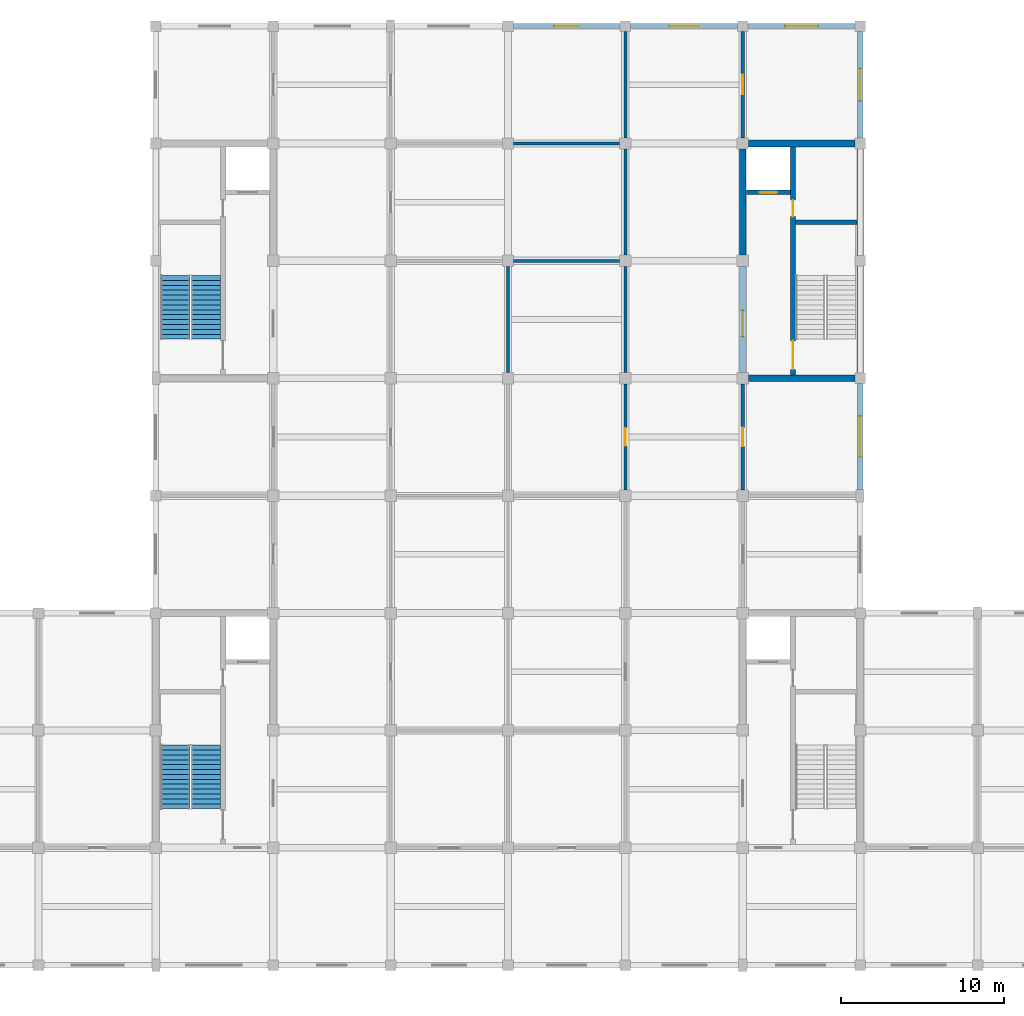
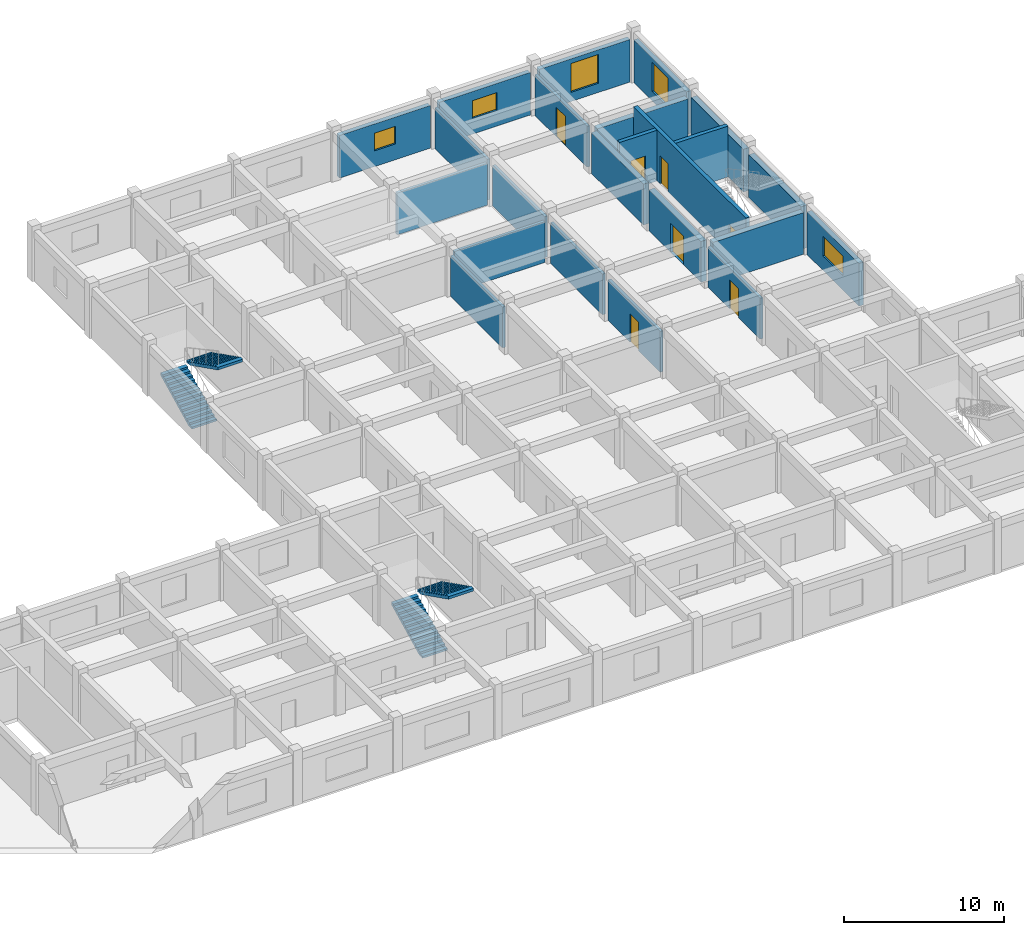
# One storey, part 8 of 10: 23 walls, 7 doors, 5 windows, 4 stair flights, 12 openings, 2 elements without a shape of their own.
"""IFC4 building model written with IfcOpenShell, lengths in metres."""

import ifcopenshell
import ifcopenshell.guid

model = None  # the IFC model being written
_history = None  # IfcOwnerHistory: only IFC2X3 demands one
_inside = {}  # id of a spatial element -> (the spatial element, [elements in it])
_under = {}  # id of a project, library or spatial element -> (it, [spatial elements below it])
_declared = {}  # id of a project -> (the project, [libraries it declares])
_typed = {}  # id of a type object -> (the type object, [elements of that type])
_made_of = {}  # id of a material, layer set ... -> (it, [elements and type objects made of it])


def new_model(schema):
    """Start an empty IFC model of exactly this schema.

    Asked for "IFC4X3", IfcOpenShell would pick the latest addendum, in which some entities
    have other attributes; the version numbers below select the first issue.
    IFC2X3 requires an IfcOwnerHistory on every rooted entity: one is made here for all.
    """
    global model, _history
    if schema == "IFC4X3":
        model = ifcopenshell.file(schema_version=(4, 3, 0, 0))
    else:
        model = ifcopenshell.file(schema=schema)
    _inside.clear()
    _under.clear()
    _declared.clear()
    _typed.clear()
    _made_of.clear()
    _history = None
    if model.schema == "IFC2X3":
        org = make("IfcOrganization", Name="unknown")
        user = make(
            "IfcPersonAndOrganization",
            ThePerson=make("IfcPerson", FamilyName="unknown"),
            TheOrganization=org,
        )
        app = make(
            "IfcApplication",
            ApplicationDeveloper=org,
            Version="unknown",
            ApplicationFullName="unknown",
            ApplicationIdentifier="unknown",
        )
        _history = make(
            "IfcOwnerHistory",
            OwningUser=user,
            OwningApplication=app,
            ChangeAction="ADDED",
            CreationDate=0,
        )
    return model


def make(cls, **values):
    """One entity of the class cls with the attributes given. An attribute that is None is left unset."""
    return model.create_entity(
        cls, **{name: value for name, value in values.items() if value is not None}
    )


def rooted(cls, **values):
    """An entity with a GlobalId (a new one), such as an element, a storey or a relation."""
    return make(cls, GlobalId=ifcopenshell.guid.new(), OwnerHistory=_history, **values)


def si_unit(unit_type, name, prefix=None):
    """IfcSIUnit, for example si_unit("LENGTHUNIT", "METRE", prefix="MILLI")."""
    return make("IfcSIUnit", UnitType=unit_type, Prefix=prefix, Name=name)


def assignment(units):
    """IfcUnitAssignment: the units of a project."""
    return None if units is None else make("IfcUnitAssignment", Units=units)


def point(xyz):
    """IfcCartesianPoint."""
    return None if xyz is None else make("IfcCartesianPoint", Coordinates=xyz)


def direction(xyz):
    """IfcDirection."""
    return None if xyz is None else make("IfcDirection", DirectionRatios=xyz)


def frame(location, z_axis=None, x_axis=None):
    """IfcAxis2Placement3D, a coordinate frame: its origin and axes. An axis left out is left unset."""
    return make(
        "IfcAxis2Placement3D",
        Location=point(location),
        Axis=direction(z_axis),
        RefDirection=direction(x_axis),
    )


def frame_2d(location, x_axis=None):
    """IfcAxis2Placement2D, a coordinate frame in the plane: its origin and x axis."""
    return make(
        "IfcAxis2Placement2D", Location=point(location), RefDirection=direction(x_axis)
    )


def origin():
    """The frame at (0, 0, 0) with its axes left unset."""
    return frame((0.0, 0.0, 0.0))


def place(relative_to, where):
    """IfcLocalPlacement: puts the frame where relative to a parent placement (None: the world)."""
    return make(
        "IfcLocalPlacement", PlacementRelTo=relative_to, RelativePlacement=where
    )


def context(
    kind, dimensions, precision=None, world=None, true_north=None, identifier=None
):
    """IfcGeometricRepresentationContext, for example the 3D "Model" context."""
    return make(
        "IfcGeometricRepresentationContext",
        ContextIdentifier=identifier,
        ContextType=kind,
        CoordinateSpaceDimension=dimensions,
        Precision=precision,
        WorldCoordinateSystem=world,
        TrueNorth=true_north,
    )


def subcontext(parent, identifier, kind, view, scale=None):
    """IfcGeometricRepresentationSubContext, for example "Body" below "Model"."""
    return make(
        "IfcGeometricRepresentationSubContext",
        ContextIdentifier=identifier,
        ContextType=kind,
        ParentContext=parent,
        TargetScale=scale,
        TargetView=view,
    )


def project(units=None, contexts=None):
    """IfcProject with its units and contexts."""
    return rooted(
        "IfcProject",
        Name="project",
        RepresentationContexts=contexts,
        UnitsInContext=assignment(units),
    )


def spatial(cls, under=None, at=None, **own):
    """A site, building, storey or space (cls), placed at a placement, below another one or the project."""
    s = rooted(cls, ObjectPlacement=at, **own)
    if under is not None:
        _under.setdefault(under.id(), (under, []))[1].append(s)
    return s


def polyline(points):
    """IfcPolyline through the points."""
    return make("IfcPolyline", Points=[point(p) for p in points])


def profile(cls, at=None, kind="AREA", **sizes):
    """A parametric profile (cls). Its sizes go by their IFC names, for example OverallWidth=200.0."""
    return make(cls, ProfileType=kind, Position=at, **sizes)


def rectangle(**sizes):
    """IfcRectangleProfileDef."""
    return profile("IfcRectangleProfileDef", **sizes)


def outline(outer, holes=None, kind="AREA"):
    """IfcArbitraryClosedProfileDef: a profile drawn as a closed curve; with holes, ...WithVoids."""
    if holes is None:
        return make("IfcArbitraryClosedProfileDef", ProfileType=kind, OuterCurve=outer)
    return make(
        "IfcArbitraryProfileDefWithVoids",
        ProfileType=kind,
        OuterCurve=outer,
        InnerCurves=holes,
    )


def extrude(swept, where, along, depth):
    """IfcExtrudedAreaSolid: the profile swept, set in the frame where, extruded along a direction by depth."""
    return make(
        "IfcExtrudedAreaSolid",
        SweptArea=swept,
        Position=where,
        ExtrudedDirection=direction(along),
        Depth=depth,
    )


def shape(context_of_items, identifier, shape_type, items):
    """IfcShapeRepresentation: the items that make up one representation, for example the "Body"."""
    return make(
        "IfcShapeRepresentation",
        ContextOfItems=context_of_items,
        RepresentationIdentifier=identifier,
        RepresentationType=shape_type,
        Items=items,
    )


def material(Name=None, Category=None):
    """IfcMaterial."""
    return make("IfcMaterial", Name=Name, Category=Category)


def layer(
    of_material, thickness, ventilated=None, Name=None, Category=None, Priority=None
):
    """IfcMaterialLayer: one layer of a wall or slab, of a material (None: an air gap)."""
    return make(
        "IfcMaterialLayer",
        Material=of_material,
        LayerThickness=thickness,
        IsVentilated=ventilated,
        Name=Name,
        Category=Category,
        Priority=Priority,
    )


def layer_set(layers, Name=None):
    """IfcMaterialLayerSet."""
    return make("IfcMaterialLayerSet", MaterialLayers=layers, LayerSetName=Name)


def made_of(thing, what):
    """Note that an element or type object is made of a material, layer set ...; save() writes the relation."""
    if what is not None:
        _made_of.setdefault(what.id(), (what, []))[1].append(thing)
    return thing


def type_object(cls, material=None, **own):
    """A type object (cls), such as IfcWallType, which elements share."""
    return made_of(rooted(cls, **own), material)


def element(
    cls,
    number,
    at=None,
    inside=None,
    cuts=None,
    type_object=None,
    material=None,
    context=None,
    identifier="Body",
    shape_type=None,
    held_by="IfcProductDefinitionShape",
    body=None,
    shapes=None,
    **own,
):
    """One element of the class cls, such as IfcWall. Its Tag is "e" and its number.

    at: its placement. inside: the storey or other place that contains it. cuts: it is an
    opening in that element (IfcRelVoidsElement). A single representation is given by context,
    identifier, shape_type and body (its items); several are given by shapes. held_by: the class
    of the entity that holds the representations. save() writes the other relations.
    """
    e = rooted(cls, Tag="e%d" % number, ObjectPlacement=at, **own)
    if body is not None:
        shapes = [shape(context, identifier, shape_type, body)]
    if shapes is not None:
        e.Representation = make(held_by, Representations=shapes)
    if inside is not None:
        _inside.setdefault(inside.id(), (inside, []))[1].append(e)
    if cuts is not None:
        rooted(
            "IfcRelVoidsElement", RelatingBuildingElement=cuts, RelatedOpeningElement=e
        )
    if type_object is not None:
        _typed.setdefault(type_object.id(), (type_object, []))[1].append(e)
    return made_of(e, material)


def fill(opening, filler):
    """IfcRelFillsElement: the door or window that sits in an opening."""
    return rooted(
        "IfcRelFillsElement",
        RelatingOpeningElement=opening,
        RelatedBuildingElement=filler,
    )


def aggregate(whole, parts):
    """IfcRelAggregates: a whole, such as a stair, and the parts it consists of."""
    return rooted("IfcRelAggregates", RelatingObject=whole, RelatedObjects=parts)


def save(model, path):
    """Write the relations noted so far, then the file.

    IfcRelAggregates (storeys below a building ...), IfcRelContainedInSpatialStructure (elements
    in a storey), IfcRelDefinesByType, IfcRelAssociatesMaterial and IfcRelDeclares: one each for
    every whole, place, type object, material and project.
    """
    for whole, parts in _under.values():
        aggregate(whole, parts)
    for where, things in _inside.values():
        rooted(
            "IfcRelContainedInSpatialStructure",
            RelatedElements=things,
            RelatingStructure=where,
        )
    for kind, things in _typed.values():
        rooted("IfcRelDefinesByType", RelatedObjects=things, RelatingType=kind)
    for what, things in _made_of.values():
        rooted("IfcRelAssociatesMaterial", RelatedObjects=things, RelatingMaterial=what)
    for by, libraries in _declared.values():
        rooted("IfcRelDeclares", RelatingContext=by, RelatedDefinitions=libraries)
    model.write(path)


model = new_model("IFC4")

# Units and contexts
model_context = context("Model", 3, precision=1e-05, world=origin(), true_north=direction((0.0, 1.0)))
body_context = subcontext(model_context, "Body", "Model", "MODEL_VIEW")
ifc_project = project(units=[si_unit("LENGTHUNIT", "METRE"), si_unit("AREAUNIT", "SQUARE_METRE"), si_unit("VOLUMEUNIT", "CUBIC_METRE"), si_unit("PLANEANGLEUNIT", "RADIAN"), si_unit("MASSUNIT", "GRAM", prefix="KILO")], contexts=[model_context])

# Site, building, storey
site_placement = place(None, origin())
site = spatial("IfcSite", under=ifc_project, at=site_placement, CompositionType="ELEMENT")
building_placement = place(site_placement, origin())
building = spatial("IfcBuilding", under=site, at=building_placement, Name="Cendaluz Park School", CompositionType="ELEMENT")
storey_placement = place(building_placement, frame((0.0, 0.0, 30.60009765625)))
storey = spatial("IfcBuildingStorey", under=building, at=storey_placement, Name="L07", CompositionType="ELEMENT", Elevation=30.60009765625)

# Walls
ifc_material_1 = material(Name="Gypsum Plasterboard on Cold-Formed Stud", Category="gypsum")
ifc_layer_1 = layer(ifc_material_1, 0.199951171875)
ifc_layer_set_1 = layer_set([ifc_layer_1], Name="Gypsum Plasterboard on Cold-Formed Stud")
wall_type_1 = type_object("IfcWallType", Name="W-AC20", PredefinedType="PARTITIONING", material=ifc_layer_set_1)
wall_1_placement = place(storey_placement, frame((86.75, 50.39990234375, 0.0), z_axis=(0.0, 0.0, 1.0), x_axis=(1.0, 0.0, 0.0)))
element("IfcWall", 1, at=wall_1_placement, inside=storey, type_object=wall_type_1, Name="WL-FH-BN1", PredefinedType="PARTITIONING", context=body_context, shape_type="SweptSolid", body=[
    extrude(rectangle(XDim=6.5, YDim=0.199951171875, at=frame_2d((3.25, 0.0))), origin(), (0.0, 0.0, 1.0), 3.10986328125),
])
wall_2_placement = place(storey_placement, frame((86.75, 57.60009765625, 0.0), z_axis=(0.0, 0.0, 1.0), x_axis=(1.0, 0.0, 0.0)))
element("IfcWall", 2, at=wall_2_placement, inside=storey, type_object=wall_type_1, Name="WL-FH-BN2", PredefinedType="PARTITIONING", context=body_context, shape_type="SweptSolid", body=[
    extrude(rectangle(XDim=6.5, YDim=0.199951171875, at=frame_2d((3.25, 0.0))), origin(), (0.0, 0.0, 1.0), 3.179931640625),
])
wall_3_placement = place(storey_placement, frame((93.60009765625, 50.75, 0.0), z_axis=(0.0, 0.0, 1.0), x_axis=(0.0, 1.0, 0.0)))
element("IfcWall", 3, at=wall_3_placement, inside=storey, type_object=wall_type_1, Name="WL-FH-BN3", PredefinedType="PARTITIONING", context=body_context, shape_type="SweptSolid", body=[
    extrude(rectangle(XDim=6.5, YDim=0.199951171875, at=frame_2d((3.25, 0.0))), origin(), (0.0, 0.0, 1.0), 3.10986328125),
])
wall_4_placement = place(storey_placement, frame((93.60009765625, 57.949951171875, 0.0), z_axis=(0.0, 0.0, 1.0), x_axis=(0.0, 1.0, 0.0)))
element("IfcWall", 4, at=wall_4_placement, inside=storey, type_object=wall_type_1, Name="WL-FH-BN5", PredefinedType="PARTITIONING", context=body_context, shape_type="SweptSolid", body=[
    extrude(rectangle(XDim=6.525146484375, YDim=0.199951171875, at=frame_2d((3.2626953125, 0.0))), origin(), (0.0, 0.0, 1.0), 3.10986328125),
])
wall_5_placement = place(storey_placement, frame((86.39990234375, 43.550048828125, 0.0), z_axis=(0.0, 0.0, 1.0), x_axis=(0.0, 1.0, 0.0)))
element("IfcWall", 5, at=wall_5_placement, inside=storey, type_object=wall_type_1, Name="WL-FH-BQ6", PredefinedType="PARTITIONING", context=body_context, shape_type="SweptSolid", body=[
    extrude(rectangle(XDim=6.5, YDim=0.199951171875, at=frame_2d((3.25, 0.0))), origin(), (0.0, 0.0, 1.0), 3.10986328125),
])

# Wall, opening, door
wall_6_placement = place(storey_placement, frame((93.60009765625, 36.35009765625, 0.0), z_axis=(0.0, 0.0, 1.0), x_axis=(0.0, 1.0, 0.0)))
wall_6 = element("IfcWall", 6, at=wall_6_placement, inside=storey, type_object=wall_type_1, Name="WL-FH-BR3", PredefinedType="PARTITIONING", context=body_context, shape_type="SweptSolid", body=[
    extrude(rectangle(XDim=6.5, YDim=0.199951171875, at=frame_2d((3.25, 0.0))), origin(), (0.0, 0.0, 1.0), 3.10986328125),
])
opening_1_placement = place(wall_6_placement, frame((2.7099609375, 0.0, 0.0)))
opening_1 = element("IfcOpeningElement", 7, at=opening_1_placement, cuts=wall_6, Name="Opening DCL-05", PredefinedType="OPENING", context=body_context, shape_type="SweptSolid", body=[
    extrude(rectangle(XDim=1.080078125, YDim=2.179931640625, at=frame_2d((0.5400390625, 1.08984375))), frame((0.0, 0.112060546875, 0.0), z_axis=(0.0, -1.0, 0.0), x_axis=(1.0, 0.0, 0.0)), (0.0, 0.0, 1.0), 0.223876953125),
])
ifc_material_2 = material(Name="Solid Core Hardwood", Category="wood")
door_type_1 = type_object("IfcDoorType", Name="DCL-05", OperationType="NOTDEFINED", PredefinedType="DOOR", material=ifc_material_2)
door_1_placement = place(opening_1_placement, origin())
door_1 = element("IfcDoor", 8, at=door_1_placement, inside=storey, type_object=door_type_1, Name="D-L07-045", OperationType="SINGLE_SWING_RIGHT", OverallHeight=2.179931640625, OverallWidth=1.080078125, PredefinedType="DOOR", context=body_context, shape_type="SweptSolid", body=[
    extrude(rectangle(XDim=1.080078125, YDim=2.179931640625, at=frame_2d((0.5400390625, 1.08984375))), frame((0.0, 0.02490234375, 0.0), z_axis=(0.0, -1.0, 0.0), x_axis=(1.0, 0.0, 0.0)), (0.0, 0.0, 1.0), 0.050048828125),
])
fill(opening_1, door_1)

# Wall
wall_7_placement = place(storey_placement, frame((93.60009765625, 43.550048828125, 0.0), z_axis=(0.0, 0.0, 1.0), x_axis=(0.0, 1.0, 0.0)))
element("IfcWall", 9, at=wall_7_placement, inside=storey, type_object=wall_type_1, Name="WL-FH-BR4", PredefinedType="PARTITIONING", context=body_context, shape_type="SweptSolid", body=[
    extrude(rectangle(XDim=6.5, YDim=0.199951171875, at=frame_2d((3.25, 0.0))), origin(), (0.0, 0.0, 1.0), 3.10986328125),
])

# Wall, opening, door
wall_8_placement = place(storey_placement, frame((100.800048828125, 36.35009765625, 0.0), z_axis=(0.0, 0.0, 1.0), x_axis=(0.0, 1.0, 0.0)))
wall_8 = element("IfcWall", 10, at=wall_8_placement, inside=storey, type_object=wall_type_1, Name="WL-FH-BR7", PredefinedType="PARTITIONING", context=body_context, shape_type="SweptSolid", body=[
    extrude(rectangle(XDim=6.5, YDim=0.199951171875, at=frame_2d((3.25, 0.0))), origin(), (0.0, 0.0, 1.0), 3.10986328125),
])
opening_2_placement = place(wall_8_placement, frame((2.669921875, 0.0, 0.0)))
opening_2 = element("IfcOpeningElement", 11, at=opening_2_placement, cuts=wall_8, Name="Opening DCL-07", PredefinedType="OPENING", context=body_context, shape_type="SweptSolid", body=[
    extrude(rectangle(XDim=1.159912109375, YDim=2.219970703125, at=frame_2d((0.580078125, 1.10986328125))), frame((0.0, 0.112060546875, 0.0), z_axis=(0.0, -1.0, 0.0), x_axis=(1.0, 0.0, 0.0)), (0.0, 0.0, 1.0), 0.223876953125),
])
door_type_2 = type_object("IfcDoorType", Name="DCL-07", OperationType="NOTDEFINED", PredefinedType="DOOR", material=ifc_material_2)
door_2_placement = place(opening_2_placement, frame((1.159912109375, 0.0, 0.0), z_axis=(0.0, 0.0, 1.0), x_axis=(-1.0, 0.0, 0.0)))
door_2 = element("IfcDoor", 12, at=door_2_placement, inside=storey, type_object=door_type_2, Name="D-L07-047", OperationType="SINGLE_SWING_RIGHT", OverallHeight=2.219970703125, OverallWidth=1.159912109375, PredefinedType="DOOR", context=body_context, shape_type="SweptSolid", body=[
    extrude(rectangle(XDim=1.159912109375, YDim=2.219970703125, at=frame_2d((0.580078125, 1.10986328125))), frame((0.0, 0.02490234375, 0.0), z_axis=(0.0, -1.0, 0.0), x_axis=(1.0, 0.0, 0.0)), (0.0, 0.0, 1.0), 0.050048828125),
])
fill(opening_2, door_2)

wall_9_placement = place(storey_placement, frame((100.800048828125, 57.949951171875, 0.0), z_axis=(0.0, 0.0, 1.0), x_axis=(0.0, 1.0, 0.0)))
wall_9 = element("IfcWall", 13, at=wall_9_placement, inside=storey, type_object=wall_type_1, Name="WL-FH-BR8", PredefinedType="PARTITIONING", context=body_context, shape_type="SweptSolid", body=[
    extrude(rectangle(XDim=6.525146484375, YDim=0.199951171875, at=frame_2d((3.2626953125, 0.0))), origin(), (0.0, 0.0, 1.0), 3.10986328125),
])
opening_3_placement = place(wall_9_placement, frame((2.66259765625, 0.0, 0.0)))
opening_3 = element("IfcOpeningElement", 14, at=opening_3_placement, cuts=wall_9, Name="Opening DCL-08", PredefinedType="OPENING", context=body_context, shape_type="SweptSolid", body=[
    extrude(rectangle(XDim=1.199951171875, YDim=2.239990234375, at=frame_2d((0.60009765625, 1.1201171875))), frame((0.0, 0.112060546875, 0.0), z_axis=(0.0, -1.0, 0.0), x_axis=(1.0, 0.0, 0.0)), (0.0, 0.0, 1.0), 0.223876953125),
])
door_type_3 = type_object("IfcDoorType", Name="DCL-08", OperationType="NOTDEFINED", PredefinedType="DOOR", material=ifc_material_2)
door_3_placement = place(opening_3_placement, frame((1.199951171875, 0.0, 0.0), z_axis=(0.0, 0.0, 1.0), x_axis=(-1.0, 0.0, 0.0)))
door_3 = element("IfcDoor", 15, at=door_3_placement, inside=storey, type_object=door_type_3, Name="D-L07-048", OperationType="SINGLE_SWING_LEFT", OverallHeight=2.239990234375, OverallWidth=1.199951171875, PredefinedType="DOOR", context=body_context, shape_type="SweptSolid", body=[
    extrude(rectangle(XDim=1.199951171875, YDim=2.239990234375, at=frame_2d((0.60009765625, 1.1201171875))), frame((0.0, 0.02490234375, 0.0), z_axis=(0.0, -1.0, 0.0), x_axis=(1.0, 0.0, 0.0)), (0.0, 0.0, 1.0), 0.050048828125),
])
fill(opening_3, door_3)

# Wall, opening, window
ifc_material_3 = material(Name="Concrete C40/50 precast", Category="concrete")
ifc_layer_2 = layer(ifc_material_3, 0.320068359375)
ifc_layer_set_2 = layer_set([ifc_layer_2], Name="Concrete C40/50 precast")
wall_type_2 = type_object("IfcWallType", Name="W-EX32", PredefinedType="SOLIDWALL", material=ifc_layer_set_2)
wall_10_placement = place(storey_placement, frame((86.72509765625, 64.800048828125, 0.0), z_axis=(0.0, 0.0, 1.0), x_axis=(1.0, 0.0, 0.0)))
wall_10 = element("IfcWall", 16, at=wall_10_placement, inside=storey, type_object=wall_type_2, Name="WL-FH-AB8", PredefinedType="SOLIDWALL", context=body_context, shape_type="SweptSolid", body=[
    extrude(rectangle(XDim=6.5498046875, YDim=0.320068359375, at=frame_2d((3.27490234375, 0.0))), origin(), (0.0, 0.0, 1.0), 3.25),
])
opening_4_placement = place(wall_10_placement, frame((2.52490234375, 0.0, 1.199951171875)))
opening_4 = element("IfcOpeningElement", 17, at=opening_4_placement, cuts=wall_10, Name="Opening WN-20", PredefinedType="OPENING", context=body_context, shape_type="SweptSolid", body=[
    extrude(rectangle(XDim=1.5, YDim=1.35009765625, at=frame_2d((0.75, 0.675048828125))), frame((0.0, 0.172119140625, 0.0), z_axis=(0.0, -1.0, 0.0), x_axis=(1.0, 0.0, 0.0)), (0.0, 0.0, 1.0), 0.343994140625),
])
ifc_material_4 = material(Name="Tempered Low-E Double Glazing", Category="glass")
window_type_1 = type_object("IfcWindowType", Name="WN-20", PartitioningType="SINGLE_PANEL", PredefinedType="WINDOW", material=ifc_material_4)
window_1_placement = place(opening_4_placement, origin())
window_1 = element("IfcWindow", 18, at=window_1_placement, inside=storey, type_object=window_type_1, Name="WN-L07-018", OverallHeight=1.35009765625, OverallWidth=1.5, PartitioningType="SINGLE_PANEL", PredefinedType="WINDOW", context=body_context, shape_type="SweptSolid", body=[
    extrude(rectangle(XDim=1.5, YDim=1.35009765625, at=frame_2d((0.75, 0.675048828125))), frame((0.0, 0.030029296875, 0.0), z_axis=(0.0, -1.0, 0.0), x_axis=(1.0, 0.0, 0.0)), (0.0, 0.0, 1.0), 0.06005859375),
])
fill(opening_4, window_1)

wall_11_placement = place(storey_placement, frame((93.925048828125, 64.800048828125, 0.0), z_axis=(0.0, 0.0, 1.0), x_axis=(1.0, 0.0, 0.0)))
wall_11 = element("IfcWall", 19, at=wall_11_placement, inside=storey, type_object=wall_type_2, Name="WL-FH-AC0", PredefinedType="SOLIDWALL", context=body_context, shape_type="SweptSolid", body=[
    extrude(rectangle(XDim=6.550048828125, YDim=0.320068359375, at=frame_2d((3.27490234375, 0.0))), origin(), (0.0, 0.0, 1.0), 3.25),
])
opening_5_placement = place(wall_11_placement, frame((2.39990234375, 0.0, 1.199951171875)))
opening_5 = element("IfcOpeningElement", 20, at=opening_5_placement, cuts=wall_11, Name="Opening WN-21", PredefinedType="OPENING", context=body_context, shape_type="SweptSolid", body=[
    extrude(rectangle(XDim=1.75, YDim=1.35009765625, at=frame_2d((0.875, 0.675048828125))), frame((0.0, 0.172119140625, 0.0), z_axis=(0.0, -1.0, 0.0), x_axis=(1.0, 0.0, 0.0)), (0.0, 0.0, 1.0), 0.343994140625),
])
window_type_2 = type_object("IfcWindowType", Name="WN-21", PartitioningType="SINGLE_PANEL", PredefinedType="WINDOW", material=ifc_material_4)
window_2_placement = place(opening_5_placement, origin())
window_2 = element("IfcWindow", 21, at=window_2_placement, inside=storey, type_object=window_type_2, Name="WN-L07-020", OverallHeight=1.35009765625, OverallWidth=1.75, PartitioningType="SINGLE_PANEL", PredefinedType="WINDOW", context=body_context, shape_type="SweptSolid", body=[
    extrude(rectangle(XDim=1.75, YDim=1.35009765625, at=frame_2d((0.875, 0.675048828125))), frame((0.0, 0.030029296875, 0.0), z_axis=(0.0, -1.0, 0.0), x_axis=(1.0, 0.0, 0.0)), (0.0, 0.0, 1.0), 0.06005859375),
])
fill(opening_5, window_2)

wall_12_placement = place(storey_placement, frame((108.0, 36.375, 0.0), z_axis=(0.0, 0.0, 1.0), x_axis=(0.0, 1.0, 0.0)))
wall_12 = element("IfcWall", 22, at=wall_12_placement, inside=storey, type_object=wall_type_2, Name="WL-FH-AC3", PredefinedType="SOLIDWALL", context=body_context, shape_type="SweptSolid", body=[
    extrude(rectangle(XDim=6.5, YDim=0.320068359375, at=frame_2d((3.25, 0.0))), origin(), (0.0, 0.0, 1.0), 3.25),
])
opening_6_placement = place(wall_12_placement, frame((2.0, 0.0, 1.10009765625)))
opening_6 = element("IfcOpeningElement", 23, at=opening_6_placement, cuts=wall_12, Name="Opening WN-19", PredefinedType="OPENING", context=body_context, shape_type="SweptSolid", body=[
    extrude(rectangle(XDim=2.5, YDim=1.5, at=frame_2d((1.25, 0.75))), frame((0.0, 0.172119140625, 0.0), z_axis=(0.0, -1.0, 0.0), x_axis=(1.0, 0.0, 0.0)), (0.0, 0.0, 1.0), 0.343994140625),
])
window_type_3 = type_object("IfcWindowType", Name="WN-19", PartitioningType="SINGLE_PANEL", PredefinedType="WINDOW", material=ifc_material_4)
window_3_placement = place(opening_6_placement, origin())
window_3 = element("IfcWindow", 24, at=window_3_placement, inside=storey, type_object=window_type_3, Name="WN-L07-023", OverallHeight=1.5, OverallWidth=2.5, PartitioningType="SINGLE_PANEL", PredefinedType="WINDOW", context=body_context, shape_type="SweptSolid", body=[
    extrude(rectangle(XDim=2.5, YDim=1.5, at=frame_2d((1.25, 0.75))), frame((0.0, 0.030029296875, 0.0), z_axis=(0.0, -1.0, 0.0), x_axis=(1.0, 0.0, 0.0)), (0.0, 0.0, 1.0), 0.06005859375),
])
fill(opening_6, window_3)

wall_13_placement = place(storey_placement, frame((101.125, 64.800048828125, 0.0), z_axis=(0.0, 0.0, 1.0), x_axis=(1.0, 0.0, 0.0)))
wall_13 = element("IfcWall", 25, at=wall_13_placement, inside=storey, type_object=wall_type_2, Name="WL-FH-AC4", PredefinedType="SOLIDWALL", context=body_context, shape_type="SweptSolid", body=[
    extrude(rectangle(XDim=6.550048828125, YDim=0.320068359375, at=frame_2d((3.27490234375, 0.0))), origin(), (0.0, 0.0, 1.0), 3.25),
])
opening_7_placement = place(wall_13_placement, frame((2.27490234375, 0.0, 0.699951171875)))
opening_7 = element("IfcOpeningElement", 26, at=opening_7_placement, cuts=wall_13, Name="Opening WN-22", PredefinedType="OPENING", context=body_context, shape_type="SweptSolid", body=[
    extrude(rectangle(XDim=2.0, YDim=2.199951171875, at=frame_2d((1.0, 1.10009765625))), frame((0.0, 0.172119140625, 0.0), z_axis=(0.0, -1.0, 0.0), x_axis=(1.0, 0.0, 0.0)), (0.0, 0.0, 1.0), 0.343994140625),
])
window_type_4 = type_object("IfcWindowType", Name="WN-22", PartitioningType="SINGLE_PANEL", PredefinedType="WINDOW", material=ifc_material_4)
window_4_placement = place(opening_7_placement, origin())
window_4 = element("IfcWindow", 27, at=window_4_placement, inside=storey, type_object=window_type_4, Name="WN-L07-024", OverallHeight=2.199951171875, OverallWidth=2.0, PartitioningType="SINGLE_PANEL", PredefinedType="WINDOW", context=body_context, shape_type="SweptSolid", body=[
    extrude(rectangle(XDim=2.0, YDim=2.199951171875, at=frame_2d((1.0, 1.10009765625))), frame((0.0, 0.030029296875, 0.0), z_axis=(0.0, -1.0, 0.0), x_axis=(1.0, 0.0, 0.0)), (0.0, 0.0, 1.0), 0.06005859375),
])
fill(opening_7, window_4)

wall_14_placement = place(storey_placement, frame((108.0, 57.925048828125, 0.0), z_axis=(0.0, 0.0, 1.0), x_axis=(0.0, 1.0, 0.0)))
wall_14 = element("IfcWall", 28, at=wall_14_placement, inside=storey, type_object=wall_type_2, Name="WL-FH-AC5", PredefinedType="SOLIDWALL", context=body_context, shape_type="SweptSolid", body=[
    extrude(rectangle(XDim=6.550048828125, YDim=0.320068359375, at=frame_2d((3.27490234375, 0.0))), origin(), (0.0, 0.0, 1.0), 3.25),
])
opening_8_placement = place(wall_14_placement, frame((2.27490234375, 0.0, 0.699951171875)))
opening_8 = element("IfcOpeningElement", 29, at=opening_8_placement, cuts=wall_14, Name="Opening WN-22", PredefinedType="OPENING", context=body_context, shape_type="SweptSolid", body=[
    extrude(rectangle(XDim=2.0, YDim=2.199951171875, at=frame_2d((1.0, 1.10009765625))), frame((0.0, 0.172119140625, 0.0), z_axis=(0.0, -1.0, 0.0), x_axis=(1.0, 0.0, 0.0)), (0.0, 0.0, 1.0), 0.343994140625),
])
window_5_placement = place(opening_8_placement, origin())
window_5 = element("IfcWindow", 30, at=window_5_placement, inside=storey, type_object=window_type_4, Name="WN-L07-025", OverallHeight=2.199951171875, OverallWidth=2.0, PartitioningType="SINGLE_PANEL", PredefinedType="WINDOW", context=body_context, shape_type="SweptSolid", body=[
    extrude(rectangle(XDim=2.0, YDim=2.199951171875, at=frame_2d((1.0, 1.10009765625))), frame((0.0, 0.030029296875, 0.0), z_axis=(0.0, -1.0, 0.0), x_axis=(1.0, 0.0, 0.0)), (0.0, 0.0, 1.0), 0.06005859375),
])
fill(opening_8, window_5)

# Wall, openings, doors
ifc_material_5 = material(Name="Concrete C40/50", Category="concrete")
ifc_layer_3 = layer(ifc_material_5, 0.280029296875)
ifc_layer_set_3 = layer_set([ifc_layer_3], Name="Concrete C40/50")
wall_type_3 = type_object("IfcWallType", Name="W-FW28", PredefinedType="SHEAR", material=ifc_layer_set_3)
wall_15_placement = place(storey_placement, frame((103.8798828125, 43.39990234375, 0.0), z_axis=(0.0, 0.0, 1.0), x_axis=(0.0, 1.0, 0.0)))
wall_15 = element("IfcWall", 31, at=wall_15_placement, inside=storey, type_object=wall_type_3, Name="WL-FH-BK7", PredefinedType="SHEAR", context=body_context, shape_type="SweptSolid", body=[
    extrude(rectangle(XDim=14.0, YDim=0.280029296875, at=frame_2d((7.0, 0.0))), origin(), (0.0, 0.0, 1.0), 3.8798828125),
])
opening_9_placement = place(wall_15_placement, frame((0.35009765625, 0.0, 0.0)))
opening_9 = element("IfcOpeningElement", 32, at=opening_9_placement, cuts=wall_15, Name="Opening DST-03", PredefinedType="OPENING", context=body_context, shape_type="SweptSolid", body=[
    extrude(rectangle(XDim=1.75, YDim=2.14990234375, at=frame_2d((0.875, 1.074951171875))), frame((0.0, 0.152099609375, 0.0), z_axis=(0.0, -1.0, 0.0), x_axis=(1.0, 0.0, 0.0)), (0.0, 0.0, 1.0), 0.303955078125),
])
opening_10_placement = place(wall_15_placement, frame((9.719970703125, 0.0, 0.0)))
opening_10 = element("IfcOpeningElement", 33, at=opening_10_placement, cuts=wall_15, Name="Opening DFC-01", PredefinedType="OPENING", context=body_context, shape_type="SweptSolid", body=[
    extrude(rectangle(XDim=1.0, YDim=2.14990234375, at=frame_2d((0.5, 1.074951171875))), frame((0.0, 0.152099609375, 0.0), z_axis=(0.0, -1.0, 0.0), x_axis=(1.0, 0.0, 0.0)), (0.0, 0.0, 1.0), 0.303955078125),
])
door_type_4 = type_object("IfcDoorType", Name="DFC-01", OperationType="NOTDEFINED", PredefinedType="DOOR", material=ifc_material_2)
door_4_placement = place(opening_10_placement, frame((1.0, 0.0, 0.0), z_axis=(0.0, 0.0, 1.0), x_axis=(-1.0, 0.0, 0.0)))
door_4 = element("IfcDoor", 34, at=door_4_placement, inside=storey, type_object=door_type_4, Name="D-L07-019", OperationType="SINGLE_SWING_LEFT", OverallHeight=2.14990234375, OverallWidth=1.0, PredefinedType="DOOR", context=body_context, shape_type="SweptSolid", body=[
    extrude(rectangle(XDim=1.0, YDim=2.14990234375, at=frame_2d((0.5, 1.074951171875))), frame((0.0, 0.02490234375, 0.0), z_axis=(0.0, -1.0, 0.0), x_axis=(1.0, 0.0, 0.0)), (0.0, 0.0, 1.0), 0.050048828125),
])
fill(opening_10, door_4)
door_type_5 = type_object("IfcDoorType", Name="DST-03", OperationType="DOUBLE_DOOR_SINGLE_SWING", PredefinedType="DOOR", material=ifc_material_2)
door_5_placement = place(opening_9_placement, frame((1.75, 0.0, 0.0), z_axis=(0.0, 0.0, 1.0), x_axis=(-1.0, 0.0, 0.0)))
door_5 = element("IfcDoor", 35, at=door_5_placement, inside=storey, type_object=door_type_5, Name="D-L07-018", OperationType="DOUBLE_DOOR_SINGLE_SWING", OverallHeight=2.14990234375, OverallWidth=1.75, PredefinedType="DOOR", context=body_context, shape_type="SweptSolid", body=[
    extrude(rectangle(XDim=1.75, YDim=2.14990234375, at=frame_2d((0.875, 1.074951171875))), frame((0.0, 0.02490234375, 0.0), z_axis=(0.0, -1.0, 0.0), x_axis=(1.0, 0.0, 0.0)), (0.0, 0.0, 1.0), 0.050048828125),
])
fill(opening_9, door_5)

# Wall
wall_16_placement = place(storey_placement, frame((104.02001953125, 52.780029296875, 0.0), z_axis=(0.0, 0.0, 1.0), x_axis=(1.0, 0.0, 0.0)))
element("IfcWall", 36, at=wall_16_placement, inside=storey, type_object=wall_type_3, Name="WL-FH-BK8", PredefinedType="SHEAR", context=body_context, shape_type="SweptSolid", body=[
    extrude(rectangle(XDim=3.780029296875, YDim=0.280029296875, at=frame_2d((1.89013671875, 0.0))), origin(), (0.0, 0.0, 1.0), 3.8798828125),
])

# Wall, opening, door
wall_17_placement = place(storey_placement, frame((101.0400390625, 54.60009765625, 0.0), z_axis=(0.0, 0.0, 1.0), x_axis=(1.0, 0.0, 0.0)))
wall_17 = element("IfcWall", 37, at=wall_17_placement, inside=storey, type_object=wall_type_3, Name="WL-FH-BK9", PredefinedType="SHEAR", context=body_context, shape_type="SweptSolid", body=[
    extrude(rectangle(XDim=2.679931640625, YDim=0.280029296875, at=frame_2d((1.33984375, 0.0))), origin(), (0.0, 0.0, 1.0), 3.8798828125),
])
opening_11_placement = place(wall_17_placement, frame((0.81494140625, 0.0, 0.0)))
opening_11 = element("IfcOpeningElement", 38, at=opening_11_placement, cuts=wall_17, Name="Opening LD-02", PredefinedType="OPENING", context=body_context, shape_type="SweptSolid", body=[
    extrude(rectangle(XDim=1.050048828125, YDim=2.199951171875, at=frame_2d((0.52490234375, 1.10009765625))), frame((0.0, 0.152099609375, 0.0), z_axis=(0.0, -1.0, 0.0), x_axis=(1.0, 0.0, 0.0)), (0.0, 0.0, 1.0), 0.303955078125),
])
ifc_material_6 = material(Name="Stainless Steel 316L", Category="steel")
door_type_6 = type_object("IfcDoorType", Name="LD-02", OperationType="DOUBLE_DOOR_SLIDING", PredefinedType="DOOR", material=ifc_material_6)
door_6_placement = place(opening_11_placement, frame((1.050048828125, 0.0, 0.0), z_axis=(0.0, 0.0, 1.0), x_axis=(-1.0, 0.0, 0.0)))
door_6 = element("IfcDoor", 39, at=door_6_placement, inside=storey, type_object=door_type_6, Name="D-L07-020", OperationType="DOUBLE_DOOR_SLIDING", OverallHeight=2.199951171875, OverallWidth=1.050048828125, PredefinedType="DOOR", context=body_context, shape_type="SweptSolid", body=[
    extrude(rectangle(XDim=1.050048828125, YDim=2.199951171875, at=frame_2d((0.52490234375, 1.10009765625))), frame((0.0, 0.02490234375, 0.0), z_axis=(0.0, -1.0, 0.0), x_axis=(1.0, 0.0, 0.0)), (0.0, 0.0, 1.0), 0.050048828125),
])
fill(opening_11, door_6)

ifc_layer_4 = layer(ifc_material_5, 0.39990234375)
ifc_layer_set_4 = layer_set([ifc_layer_4], Name="Concrete C40/50")
wall_type_4 = type_object("IfcWallType", Name="W-SH40", PredefinedType="SHEAR", material=ifc_layer_set_4)
wall_18_placement = place(storey_placement, frame((100.800048828125, 43.550048828125, 0.0), z_axis=(0.0, 0.0, 1.0), x_axis=(0.0, 1.0, 0.0)))
wall_18 = element("IfcWall", 40, at=wall_18_placement, inside=storey, type_object=wall_type_4, Name="WL-FH-BK1", PredefinedType="SHEAR", context=body_context, shape_type="SweptSolid", body=[
    extrude(rectangle(XDim=6.5, YDim=0.39990234375, at=frame_2d((3.25, 0.0))), origin(), (0.0, 0.0, 1.0), 3.10986328125),
])
opening_12_placement = place(wall_18_placement, frame((2.199951171875, 0.0, 0.0)))
opening_12 = element("IfcOpeningElement", 41, at=opening_12_placement, cuts=wall_18, Name="Opening DLB-01", PredefinedType="OPENING", context=body_context, shape_type="SweptSolid", body=[
    extrude(rectangle(XDim=1.60009765625, YDim=2.199951171875, at=frame_2d((0.800048828125, 1.10009765625))), frame((0.0, 0.2119140625, 0.0), z_axis=(0.0, -1.0, 0.0), x_axis=(1.0, 0.0, 0.0)), (0.0, 0.0, 1.0), 0.423828125),
])
door_type_7 = type_object("IfcDoorType", Name="DLB-01", OperationType="DOUBLE_DOOR_SINGLE_SWING", PredefinedType="DOOR", material=ifc_material_2)
door_7_placement = place(opening_12_placement, frame((1.60009765625, 0.0, 0.0), z_axis=(0.0, 0.0, 1.0), x_axis=(-1.0, 0.0, 0.0)))
door_7 = element("IfcDoor", 42, at=door_7_placement, inside=storey, type_object=door_type_7, Name="D-L07-017", OperationType="DOUBLE_DOOR_SINGLE_SWING", OverallHeight=2.199951171875, OverallWidth=1.60009765625, PredefinedType="DOOR", context=body_context, shape_type="SweptSolid", body=[
    extrude(rectangle(XDim=1.60009765625, YDim=2.199951171875, at=frame_2d((0.800048828125, 1.10009765625))), frame((0.0, 0.02490234375, 0.0), z_axis=(0.0, -1.0, 0.0), x_axis=(1.0, 0.0, 0.0)), (0.0, 0.0, 1.0), 0.050048828125),
])
fill(opening_12, door_7)

# Walls
wall_19_placement = place(storey_placement, frame((100.800048828125, 50.75, 0.0), z_axis=(0.0, 0.0, 1.0), x_axis=(0.0, 1.0, 0.0)))
element("IfcWall", 43, at=wall_19_placement, inside=storey, type_object=wall_type_4, Name="WL-FH-BK2", PredefinedType="SHEAR", context=body_context, shape_type="SweptSolid", body=[
    extrude(rectangle(XDim=6.5, YDim=0.39990234375, at=frame_2d((3.25, 0.0))), origin(), (0.0, 0.0, 1.0), 3.10986328125),
])
wall_20_placement = place(storey_placement, frame((108.0, 43.52490234375, 0.0), z_axis=(0.0, 0.0, 1.0), x_axis=(0.0, 1.0, 0.0)))
element("IfcWall", 44, at=wall_20_placement, inside=storey, type_object=wall_type_4, Name="WL-FH-BK3", PredefinedType="SHEAR", context=body_context, shape_type="SweptSolid", body=[
    extrude(rectangle(XDim=6.550048828125, YDim=0.39990234375, at=frame_2d((3.27490234375, 0.0))), origin(), (0.0, 0.0, 1.0), 3.25),
])
wall_21_placement = place(storey_placement, frame((108.0, 50.72509765625, 0.0), z_axis=(0.0, 0.0, 1.0), x_axis=(0.0, 1.0, 0.0)))
element("IfcWall", 45, at=wall_21_placement, inside=storey, type_object=wall_type_4, Name="WL-FH-BK4", PredefinedType="SHEAR", context=body_context, shape_type="SweptSolid", body=[
    extrude(rectangle(XDim=6.5498046875, YDim=0.39990234375, at=frame_2d((3.27490234375, 0.0))), origin(), (0.0, 0.0, 1.0), 3.25),
])
wall_22_placement = place(storey_placement, frame((101.14990234375, 43.199951171875, 0.0), z_axis=(0.0, 0.0, 1.0), x_axis=(1.0, 0.0, 0.0)))
element("IfcWall", 46, at=wall_22_placement, inside=storey, type_object=wall_type_4, Name="WL-FH-BK5", PredefinedType="SHEAR", context=body_context, shape_type="SweptSolid", body=[
    extrude(rectangle(XDim=6.525146484375, YDim=0.39990234375, at=frame_2d((3.2626953125, 0.0))), origin(), (0.0, 0.0, 1.0), 3.179931640625),
])
wall_23_placement = place(storey_placement, frame((101.14990234375, 57.60009765625, 0.0), z_axis=(0.0, 0.0, 1.0), x_axis=(1.0, 0.0, 0.0)))
element("IfcWall", 47, at=wall_23_placement, inside=storey, type_object=wall_type_4, Name="WL-FH-BK6", PredefinedType="SHEAR", context=body_context, shape_type="SweptSolid", body=[
    extrude(rectangle(XDim=6.525146484375, YDim=0.39990234375, at=frame_2d((3.2626953125, 0.0))), origin(), (0.0, 0.0, 1.0), 3.10986328125),
])

# Stair, stair flights
stair_type = type_object("IfcStairType", Name="ST-420-180", PredefinedType="HALF_TURN_STAIR", material=ifc_material_5)
stair_1_placement = place(storey_placement, origin())
stair_1 = element("IfcStair", 48, at=stair_1_placement, inside=storey, type_object=stair_type, Name="ST-L07-C1", PredefinedType="HALF_TURN_STAIR")
stair_flight_type = type_object("IfcStairFlightType", Name="SF-14-150-180", PredefinedType="STRAIGHT", material=ifc_material_5)
stair_flight_1_placement = place(storey_placement, frame((65.989990234375, 16.800048828125, 0.0), z_axis=(0.0, 0.0, 1.0), x_axis=(0.0, 1.0, 0.0)))
stair_flight_1 = element("IfcStairFlight", 49, at=stair_flight_1_placement, type_object=stair_flight_type, Name="SF-L07-C1-1", NumberOfRisers=14, NumberOfTreads=13, PredefinedType="STRAIGHT", RiserHeight=0.15, TreadLength=0.3, context=body_context, shape_type="SweptSolid", body=[
    extrude(outline(polyline([(0.0, 0.0), (0.0, 0.14990234375), (0.300048828125, 0.14990234375), (0.300048828125, 0.300048828125), (0.60009765625, 0.300048828125), (0.60009765625, 0.449951171875), (0.89990234375, 0.449951171875), (0.89990234375, 0.60009765625), (1.199951171875, 0.60009765625), (1.199951171875, 0.75), (1.5, 0.75), (1.5, 0.89990234375), (1.800048828125, 0.89990234375), (1.800048828125, 1.050048828125), (2.10009765625, 1.050048828125), (2.10009765625, 1.199951171875), (2.39990234375, 1.199951171875), (2.39990234375, 1.35009765625), (2.699951171875, 1.35009765625), (2.699951171875, 1.5), (3.0, 1.5), (3.0, 1.64990234375), (3.300048828125, 1.64990234375), (3.300048828125, 1.800048828125), (3.60009765625, 1.800048828125), (3.60009765625, 1.949951171875), (3.89990234375, 1.949951171875), (3.89990234375, 2.10009765625), (3.89990234375, 1.748779296875), (0.40234375, 0.0), (0.0, 0.0)])), frame((0.0, 0.89990234375, 0.0), z_axis=(0.0, -1.0, 0.0), x_axis=(1.0, 0.0, 0.0)), (0.0, 0.0, 1.0), 1.800048828125),
])
stair_flight_2_placement = place(storey_placement, frame((67.860107421875, 20.699951171875, 2.099853515625), z_axis=(0.0, 0.0, 1.0), x_axis=(0.0, -1.0, 0.0)))
stair_flight_2 = element("IfcStairFlight", 50, at=stair_flight_2_placement, type_object=stair_flight_type, Name="SF-L07-C1-2", NumberOfRisers=14, NumberOfTreads=13, PredefinedType="STRAIGHT", RiserHeight=0.15, TreadLength=0.3, context=body_context, shape_type="SweptSolid", body=[
    extrude(outline(polyline([(0.0, 0.0), (0.0, 0.14990234375), (0.300048828125, 0.14990234375), (0.300048828125, 0.300048828125), (0.60009765625, 0.300048828125), (0.60009765625, 0.449951171875), (0.89990234375, 0.449951171875), (0.89990234375, 0.60009765625), (1.199951171875, 0.60009765625), (1.199951171875, 0.75), (1.5, 0.75), (1.5, 0.89990234375), (1.800048828125, 0.89990234375), (1.800048828125, 1.050048828125), (2.10009765625, 1.050048828125), (2.10009765625, 1.199951171875), (2.39990234375, 1.199951171875), (2.39990234375, 1.35009765625), (2.699951171875, 1.35009765625), (2.699951171875, 1.5), (3.0, 1.5), (3.0, 1.64990234375), (3.300048828125, 1.64990234375), (3.300048828125, 1.800048828125), (3.60009765625, 1.800048828125), (3.60009765625, 1.949951171875), (3.89990234375, 1.949951171875), (3.89990234375, 2.10009765625), (3.89990234375, 1.748779296875), (0.40234375, 0.0), (0.0, 0.0)])), frame((0.0, 0.89990234375, 0.0), z_axis=(0.0, -1.0, 0.0), x_axis=(1.0, 0.0, 0.0)), (0.0, 0.0, 1.0), 1.800048828125),
])
aggregate(stair_1, [stair_flight_1, stair_flight_2])

stair_2_placement = place(storey_placement, origin())
stair_2 = element("IfcStair", 51, at=stair_2_placement, inside=storey, type_object=stair_type, Name="ST-L07-C3", PredefinedType="HALF_TURN_STAIR")
stair_flight_3_placement = place(storey_placement, frame((65.989990234375, 45.60009765625, 0.0), z_axis=(0.0, 0.0, 1.0), x_axis=(0.0, 1.0, 0.0)))
stair_flight_3 = element("IfcStairFlight", 52, at=stair_flight_3_placement, type_object=stair_flight_type, Name="SF-L07-C3-1", NumberOfRisers=14, NumberOfTreads=13, PredefinedType="STRAIGHT", RiserHeight=0.15, TreadLength=0.3, context=body_context, shape_type="SweptSolid", body=[
    extrude(outline(polyline([(0.0, 0.0), (0.0, 0.14990234375), (0.300048828125, 0.14990234375), (0.300048828125, 0.300048828125), (0.60009765625, 0.300048828125), (0.60009765625, 0.449951171875), (0.89990234375, 0.449951171875), (0.89990234375, 0.60009765625), (1.199951171875, 0.60009765625), (1.199951171875, 0.75), (1.5, 0.75), (1.5, 0.89990234375), (1.800048828125, 0.89990234375), (1.800048828125, 1.050048828125), (2.10009765625, 1.050048828125), (2.10009765625, 1.199951171875), (2.39990234375, 1.199951171875), (2.39990234375, 1.35009765625), (2.699951171875, 1.35009765625), (2.699951171875, 1.5), (3.0, 1.5), (3.0, 1.64990234375), (3.300048828125, 1.64990234375), (3.300048828125, 1.800048828125), (3.60009765625, 1.800048828125), (3.60009765625, 1.949951171875), (3.89990234375, 1.949951171875), (3.89990234375, 2.10009765625), (3.89990234375, 1.748779296875), (0.40234375, 0.0), (0.0, 0.0)])), frame((0.0, 0.89990234375, 0.0), z_axis=(0.0, -1.0, 0.0), x_axis=(1.0, 0.0, 0.0)), (0.0, 0.0, 1.0), 1.800048828125),
])
stair_flight_4_placement = place(storey_placement, frame((67.860107421875, 49.5, 2.099853515625), z_axis=(0.0, 0.0, 1.0), x_axis=(0.0, -1.0, 0.0)))
stair_flight_4 = element("IfcStairFlight", 53, at=stair_flight_4_placement, type_object=stair_flight_type, Name="SF-L07-C3-2", NumberOfRisers=14, NumberOfTreads=13, PredefinedType="STRAIGHT", RiserHeight=0.15, TreadLength=0.3, context=body_context, shape_type="SweptSolid", body=[
    extrude(outline(polyline([(0.0, 0.0), (0.0, 0.14990234375), (0.300048828125, 0.14990234375), (0.300048828125, 0.300048828125), (0.60009765625, 0.300048828125), (0.60009765625, 0.449951171875), (0.89990234375, 0.449951171875), (0.89990234375, 0.60009765625), (1.199951171875, 0.60009765625), (1.199951171875, 0.75), (1.5, 0.75), (1.5, 0.89990234375), (1.800048828125, 0.89990234375), (1.800048828125, 1.050048828125), (2.10009765625, 1.050048828125), (2.10009765625, 1.199951171875), (2.39990234375, 1.199951171875), (2.39990234375, 1.35009765625), (2.699951171875, 1.35009765625), (2.699951171875, 1.5), (3.0, 1.5), (3.0, 1.64990234375), (3.300048828125, 1.64990234375), (3.300048828125, 1.800048828125), (3.60009765625, 1.800048828125), (3.60009765625, 1.949951171875), (3.89990234375, 1.949951171875), (3.89990234375, 2.10009765625), (3.89990234375, 1.748779296875), (0.40234375, 0.0), (0.0, 0.0)])), frame((0.0, 0.89990234375, 0.0), z_axis=(0.0, -1.0, 0.0), x_axis=(1.0, 0.0, 0.0)), (0.0, 0.0, 1.0), 1.800048828125),
])
aggregate(stair_2, [stair_flight_3, stair_flight_4])

save(model, "model.ifc")
